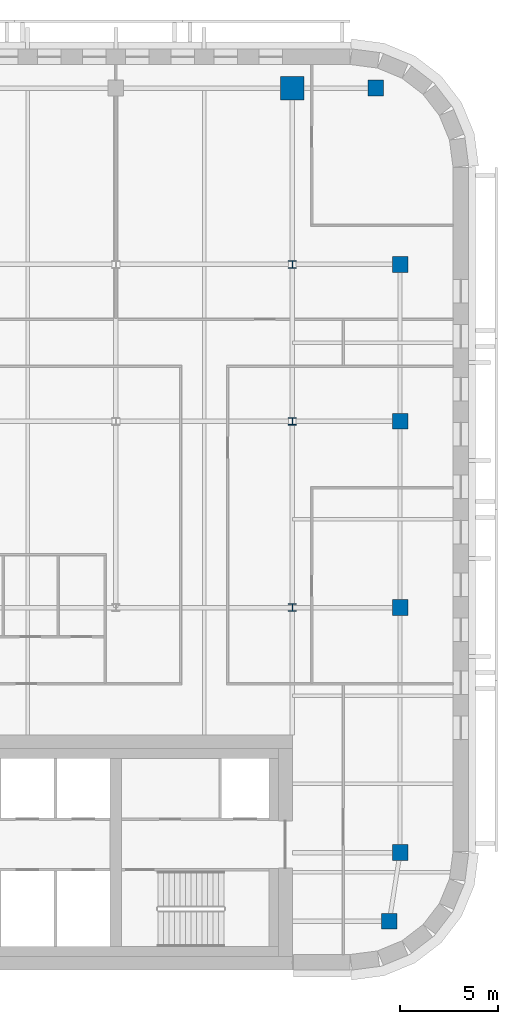
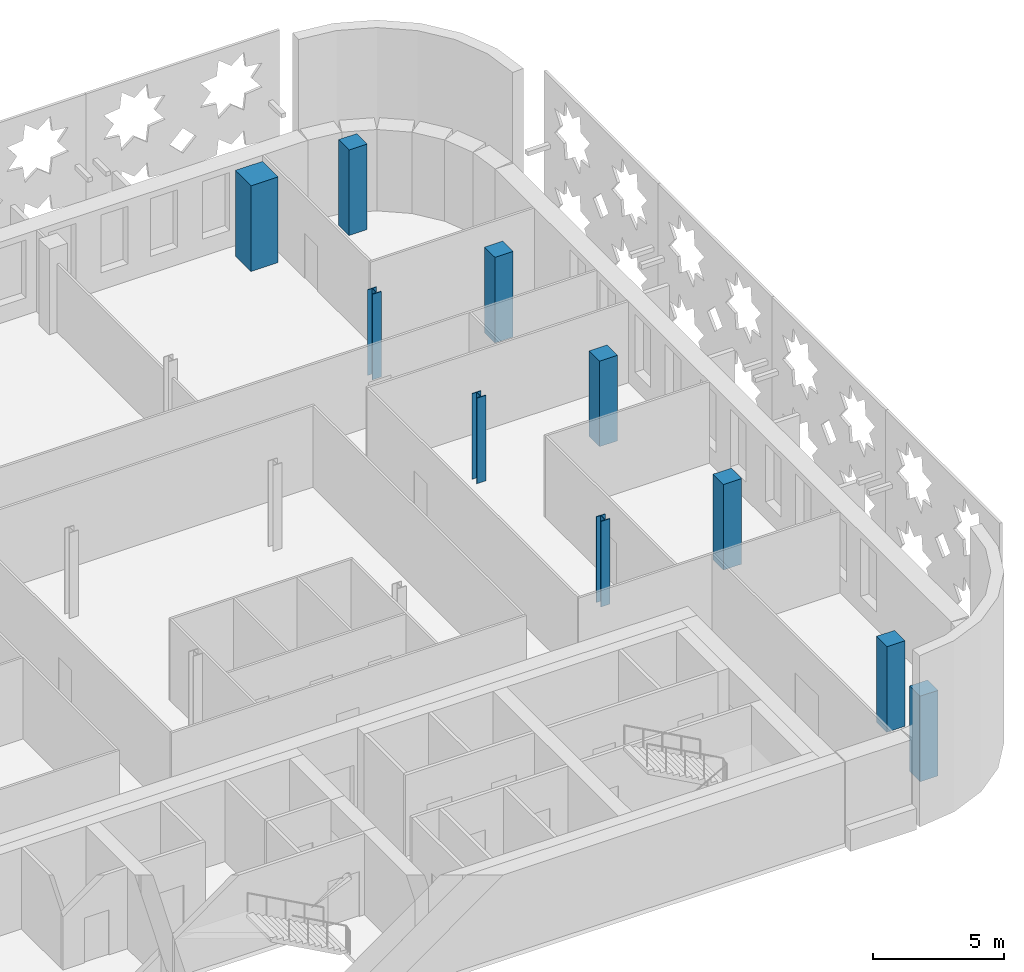
# One storey, part 3 of 17: 10 columns.
"""IFC4 building model written with IfcOpenShell, lengths in metres."""

from ifc_helpers import new_model, si_unit, direction, frame, origin, origin_2d, place, context, subcontext, project, spatial, rectangle, i_section, extrude, material, material_profile, profile_set, type_object, element, save


model = new_model("IFC4")

# Units and contexts
model_context = context("Model", 3, precision=1e-05, world=origin(), true_north=direction((0.0, 1.0)))
body_context = subcontext(model_context, "Body", "Model", "MODEL_VIEW")
ifc_project = project(units=[si_unit("LENGTHUNIT", "METRE"), si_unit("AREAUNIT", "SQUARE_METRE"), si_unit("VOLUMEUNIT", "CUBIC_METRE"), si_unit("PLANEANGLEUNIT", "RADIAN"), si_unit("MASSUNIT", "GRAM", prefix="KILO")], contexts=[model_context])

# Site, building, storey
site_placement = place(None, origin())
site = spatial("IfcSite", under=ifc_project, at=site_placement, CompositionType="ELEMENT")
building_placement = place(site_placement, origin())
building = spatial("IfcBuilding", under=site, at=building_placement, Name="Zellij Exchange Tower", CompositionType="ELEMENT")
storey_placement = place(building_placement, frame((0.0, 0.0, 256.5)))
storey = spatial("IfcBuildingStorey", under=building, at=storey_placement, Name="L60", CompositionType="ELEMENT", Elevation=256.5)

# Columns
ifc_material_1 = material(Name="Concrete C50/60", Category="concrete")
ifc_material_profile_1 = material_profile(ifc_material_1, rectangle(XDim=0.800048828125, YDim=0.800048828125, at=origin_2d()), Name="STR-COLUMN RC800x800 C50/60")
ifc_profile_set_1 = profile_set([ifc_material_profile_1], Name="Concrete C50/60")
column_type_1 = type_object("IfcColumnType", Name="STR-COLUMN RC800x800 C50/60", PredefinedType="COLUMN", material=ifc_profile_set_1)
for number, where, z_axis, x_axis, name in (
    (1, (31.949951171875, -11.5, 0.0), (0.0, 0.0, 1.0), (1.0, 0.0, 0.0), "C15"),
    (2, (32.5, -8.0, 0.0), (0.0, 0.0, 1.0), (1.0, 0.0, 0.0), "C15"),
    (3, (32.5, 4.5, 0.0), (0.0, 0.0, 1.0), (1.0, 0.0, 0.0), "C15"),
    (4, (32.5, 14.0, 0.0), (0.0, 0.0, 1.0), (1.0, 0.0, 0.0), "C15"),
    (5, (32.5, 22.0, 0.0), (0.0, 0.0, 1.0), (1.0, 0.0, 0.0), "C15"),
    (6, (31.25, 31.0, 0.0), (0.0, 0.0, 1.0), (1.0, 0.0, 0.0), "C15"),
):
    element("IfcColumn", number, at=place(storey_placement, frame(where, z_axis=z_axis, x_axis=x_axis)), inside=storey, type_object=column_type_1, Name=name, PredefinedType="COLUMN", context=body_context, shape_type="SweptSolid", body=[
        extrude(rectangle(XDim=0.800048828125, YDim=0.800048828125, at=origin_2d()), origin(), (0.0, 0.0, 1.0), 4.0),
    ])
ifc_material_2 = material(Name="Structural steel ASTM A992 Gr 50", Category="steel")
ifc_material_profile_2 = material_profile(ifc_material_2, i_section(OverallWidth=0.398681640625, OverallDepth=0.385986328125, WebThickness=0.02099609375, FlangeThickness=0.033203125, at=origin_2d()), Name="W14x176")
ifc_profile_set_2 = profile_set([ifc_material_profile_2], Name="Structural steel ASTM A992 Gr 50")
column_type_2 = type_object("IfcColumnType", Name="STR-COLUMN W14x176", PredefinedType="COLUMN", material=ifc_profile_set_2)
for number, where, z_axis, x_axis, name in (
    (7, (27.0, 4.5, 0.0), (0.0, 0.0, 1.0), (1.0, 0.0, 0.0), "C2"),
    (8, (27.0, 14.0, 0.0), (0.0, 0.0, 1.0), (1.0, 0.0, 0.0), "C2"),
    (9, (27.0, 22.0, 0.0), (0.0, 0.0, 1.0), (1.0, 0.0, 0.0), "C2"),
):
    element("IfcColumn", number, at=place(storey_placement, frame(where, z_axis=z_axis, x_axis=x_axis)), inside=storey, type_object=column_type_2, Name=name, PredefinedType="COLUMN", context=body_context, shape_type="SweptSolid", body=[
        extrude(i_section(OverallWidth=0.398681640625, OverallDepth=0.385986328125, WebThickness=0.02099609375, FlangeThickness=0.033203125, at=origin_2d()), origin(), (0.0, 0.0, 1.0), 4.0),
    ])
ifc_material_profile_3 = material_profile(ifc_material_1, rectangle(XDim=1.199951171875, YDim=1.199951171875, at=origin_2d()), Name="STR-MEGA COLUMN RC1200x1200 C50/60")
ifc_profile_set_3 = profile_set([ifc_material_profile_3], Name="Concrete C50/60")
column_type_3 = type_object("IfcColumnType", Name="STR-MEGA COLUMN RC1200x1200 C50/60", PredefinedType="COLUMN", material=ifc_profile_set_3)
column_placement = place(storey_placement, frame((27.0, 31.0, 0.0), z_axis=(0.0, 0.0, 1.0), x_axis=(1.0, 0.0, 0.0)))
element("IfcColumn", 10, at=column_placement, inside=storey, type_object=column_type_3, Name="MC2", PredefinedType="COLUMN", context=body_context, shape_type="SweptSolid", body=[
    extrude(rectangle(XDim=1.199951171875, YDim=1.199951171875, at=origin_2d()), origin(), (0.0, 0.0, 1.0), 4.0),
])

save(model, "model.ifc")
